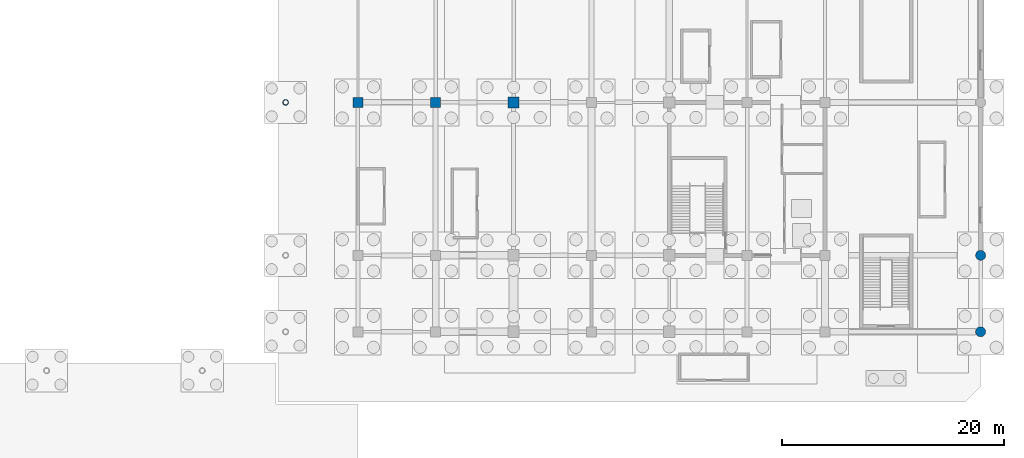
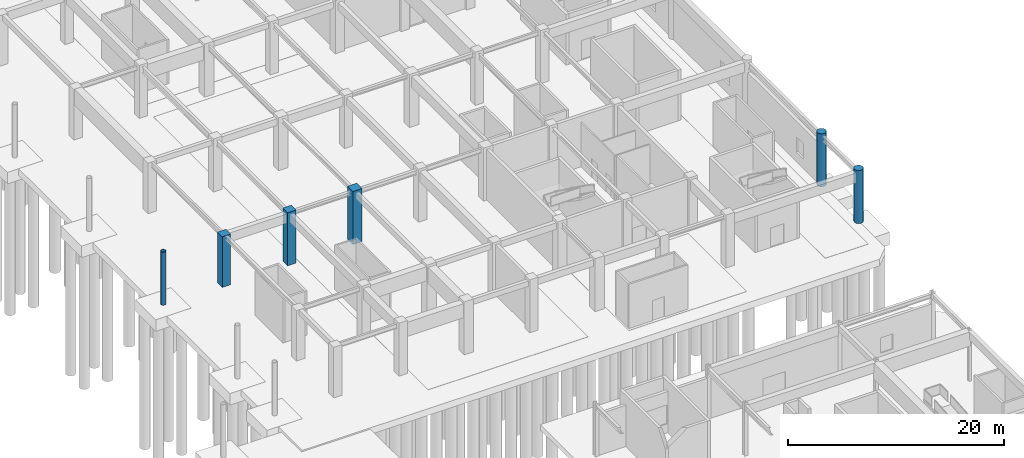
# One storey, part 19 of 62: 6 columns.
"""IFC4 building model written with IfcOpenShell, lengths in metres."""

from ifc_helpers import new_model, si_unit, direction, frame, origin, origin_2d, place, context, subcontext, project, spatial, rectangle, circle, hollow_circle, extrude, material, material_profile, profile_set, type_object, element, save


model = new_model("IFC4")

# Units and contexts
model_context = context("Model", 3, precision=1e-05, world=origin(), true_north=direction((0.0, 1.0)))
body_context = subcontext(model_context, "Body", "Model", "MODEL_VIEW")
ifc_project = project(units=[si_unit("LENGTHUNIT", "METRE"), si_unit("AREAUNIT", "SQUARE_METRE"), si_unit("VOLUMEUNIT", "CUBIC_METRE"), si_unit("PLANEANGLEUNIT", "RADIAN"), si_unit("MASSUNIT", "GRAM", prefix="KILO")], contexts=[model_context])

# Site, building, storey
site_placement = place(None, origin())
site = spatial("IfcSite", under=ifc_project, at=site_placement, CompositionType="ELEMENT")
building_placement = place(site_placement, origin())
building = spatial("IfcBuilding", under=site, at=building_placement, Name="Linyun Crest Stadium", CompositionType="ELEMENT")
storey_placement = place(building_placement, frame((0.0, 0.0, -6.0)))
storey = spatial("IfcBuildingStorey", under=building, at=storey_placement, Name="B1", CompositionType="ELEMENT", Elevation=-6.0)

# Columns
ifc_material_1 = material(Name="Concrete C50", Category="concrete")
ifc_material_profile_1 = material_profile(ifc_material_1, rectangle(XDim=0.89990234375, YDim=0.89990234375, at=origin_2d()), Name="RC 900x900")
ifc_profile_set_1 = profile_set([ifc_material_profile_1], Name="Concrete C50")
column_type_1 = type_object("IfcColumnType", Name="C04", PredefinedType="COLUMN", material=ifc_profile_set_1)
column_1_placement = place(storey_placement, frame((42.0, -25.375, 0.0), z_axis=(0.0, 0.0, 1.0), x_axis=(1.0, 0.0, 0.0)))
element("IfcColumn", 1, at=column_1_placement, inside=storey, type_object=column_type_1, Name="Column C04 B1 299", PredefinedType="COLUMN", context=body_context, shape_type="SweptSolid", body=[
    extrude(rectangle(XDim=0.89990234375, YDim=0.89990234375, at=origin_2d()), origin(), (0.0, 0.0, 1.0), 5.719970703125),
])
column_2_placement = place(storey_placement, frame((49.0, -25.375, 0.0), z_axis=(0.0, 0.0, 1.0), x_axis=(1.0, 0.0, 0.0)))
element("IfcColumn", 2, at=column_2_placement, inside=storey, type_object=column_type_1, Name="Column C04 B1 309", PredefinedType="COLUMN", context=body_context, shape_type="SweptSolid", body=[
    extrude(rectangle(XDim=0.89990234375, YDim=0.89990234375, at=origin_2d()), origin(), (0.0, 0.0, 1.0), 5.998046875),
])
ifc_material_2 = material(Name="Concrete C50", Category="concrete")
ifc_material_profile_2 = material_profile(ifc_material_2, rectangle(XDim=1.0, YDim=1.0, at=origin_2d()), Name="RC 1000x1000")
ifc_profile_set_2 = profile_set([ifc_material_profile_2], Name="Concrete C50")
column_type_2 = type_object("IfcColumnType", Name="C05", PredefinedType="COLUMN", material=ifc_profile_set_2)
column_3_placement = place(storey_placement, frame((56.0, -25.375, 0.0), z_axis=(0.0, 0.0, 1.0), x_axis=(1.0, 0.0, 0.0)))
element("IfcColumn", 3, at=column_3_placement, inside=storey, type_object=column_type_2, Name="Column C05 B1 329", PredefinedType="COLUMN", context=body_context, shape_type="SweptSolid", body=[
    extrude(rectangle(XDim=1.0, YDim=1.0, at=origin_2d()), origin(), (0.0, 0.0, 1.0), 5.998046875),
])
ifc_material_3 = material(Name="Concrete C50", Category="concrete")
ifc_material_profile_3 = material_profile(ifc_material_3, circle(Radius=0.449951171875, at=origin_2d()), Name="RC D900")
ifc_profile_set_3 = profile_set([ifc_material_profile_3], Name="Concrete C50")
column_type_3 = type_object("IfcColumnType", Name="C08", PredefinedType="COLUMN", material=ifc_profile_set_3)
for number, where, z_axis, x_axis, name in (
    (4, (98.0, -46.0, 0.0), (0.0, 0.0, 1.0), (1.0, 0.0, 0.0), "Column C08 B1 529"),
    (5, (98.0, -39.125, 0.0), (0.0, 0.0, 1.0), (1.0, 0.0, 0.0), "Column C08 B1 534"),
):
    element("IfcColumn", number, at=place(storey_placement, frame(where, z_axis=z_axis, x_axis=x_axis)), inside=storey, type_object=column_type_3, Name=name, PredefinedType="COLUMN", context=body_context, shape_type="SweptSolid", body=[
        extrude(circle(Radius=0.449951171875, at=origin_2d()), origin(), (0.0, 0.0, 1.0), 5.998046875),
    ])
ifc_material_4 = material(Name="Steel Q355C", Category="steel")
ifc_material_profile_4 = material_profile(ifc_material_4, hollow_circle(Radius=0.25390625, WallThickness=0.02490234375, at=origin_2d()), Name="CHS 508x25")
ifc_profile_set_4 = profile_set([ifc_material_profile_4], Name="Steel Q355C")
column_type_4 = type_object("IfcColumnType", Name="SC05", PredefinedType="COLUMN", material=ifc_profile_set_4)
column_4_placement = place(storey_placement, frame((35.5, -25.375, 0.0), z_axis=(0.0, 0.0, 1.0), x_axis=(1.0, 0.0, 0.0)))
element("IfcColumn", 6, at=column_4_placement, inside=storey, type_object=column_type_4, Name="Arch colonnade column SC05 B1 22", PredefinedType="COLUMN", context=body_context, shape_type="SweptSolid", body=[
    extrude(hollow_circle(Radius=0.25390625, WallThickness=0.02490234375, at=origin_2d()), origin(), (0.0, 0.0, 1.0), 6.0),
])

save(model, "model.ifc")
